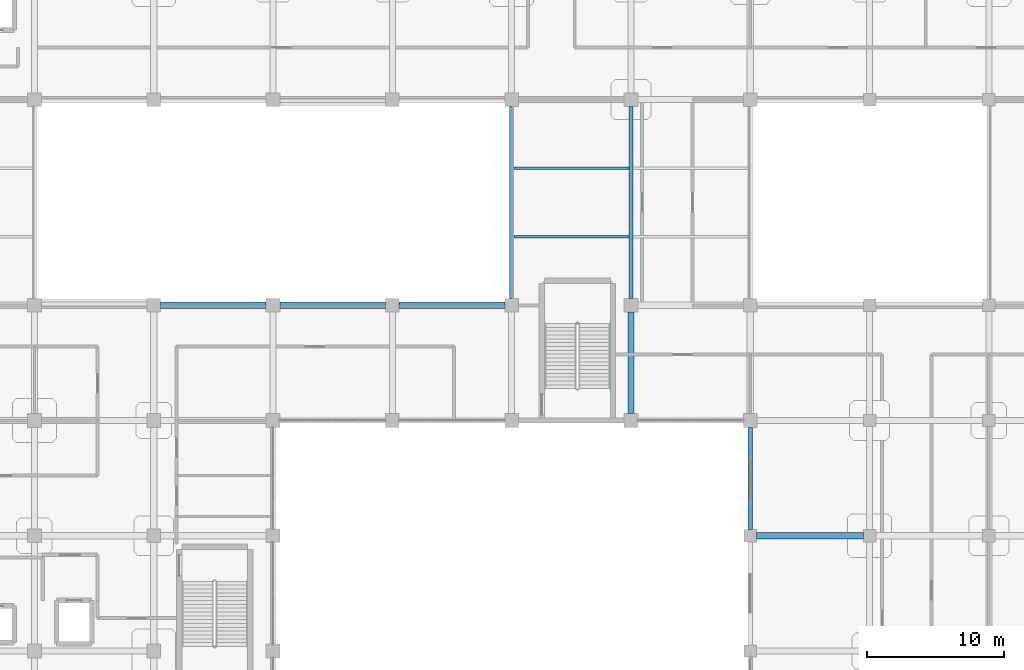
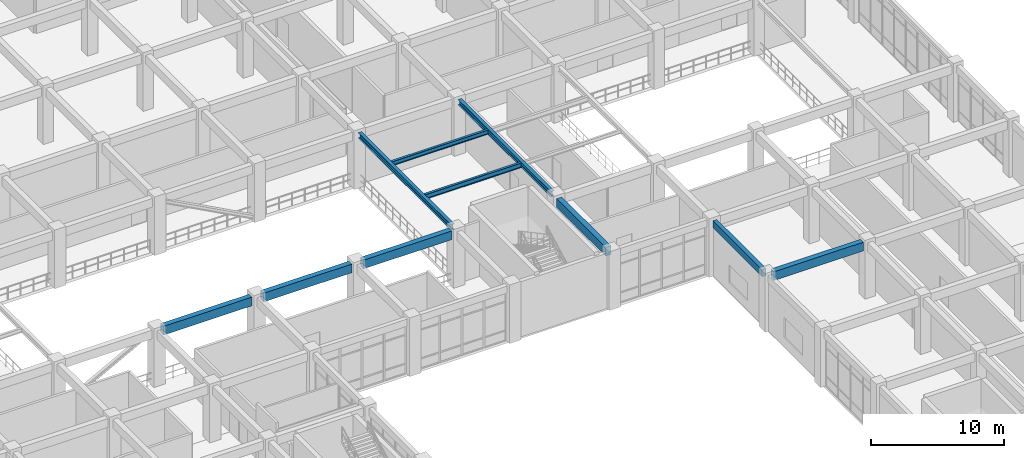
# One storey, part 35 of 114: 10 beams.
"""IFC4 building model written with IfcOpenShell, lengths in metres."""

from ifc_helpers import new_model, si_unit, derived_unit, direction, frame, origin, origin_2d, place, context, subcontext, project, spatial, rectangle, i_section, extrude, material, material_profile, profile_set, type_object, element, save


model = new_model("IFC4")

# Units and contexts
model_context = context("Model", 3, precision=1e-05, world=origin(), true_north=direction((0.0, 1.0)))
body_context = subcontext(model_context, "Body", "Model", "MODEL_VIEW")
ifc_project = project(units=[si_unit("LENGTHUNIT", "METRE"), si_unit("AREAUNIT", "SQUARE_METRE"), si_unit("VOLUMEUNIT", "CUBIC_METRE"), si_unit("PLANEANGLEUNIT", "RADIAN"), si_unit("MASSUNIT", "GRAM", prefix="KILO"), derived_unit("THERMALTRANSMITTANCEUNIT", [(si_unit("MASSUNIT", "GRAM", prefix="KILO"), 1), (si_unit("TIMEUNIT", "SECOND"), -3), (si_unit("THERMODYNAMICTEMPERATUREUNIT", "KELVIN"), -1)])], contexts=[model_context])

# Site, building, storey
site_placement = place(None, origin())
site = spatial("IfcSite", under=ifc_project, at=site_placement, CompositionType="ELEMENT")
building_placement = place(site_placement, origin())
building = spatial("IfcBuilding", under=site, at=building_placement, Name="Qinzheling Arcade Emporium", CompositionType="ELEMENT")
storey_placement = place(building_placement, frame((0.0, 0.0, 6.0)))
storey = spatial("IfcBuildingStorey", under=building, at=storey_placement, Name="L02", CompositionType="ELEMENT", Elevation=6.0)

# Beams
ifc_material_1 = material(Name="Structural steel Q355B", Category="steel")
ifc_material_profile_1 = material_profile(ifc_material_1, i_section(OverallWidth=0.300048828125, OverallDepth=0.488037109375, WebThickness=0.010986328125, FlangeThickness=0.01806640625, FilletRadius=0.02197265625, at=origin_2d()), Name="HM 488x300x11x18", Category="steel")
ifc_profile_set_1 = profile_set([ifc_material_profile_1], Name="Structural steel Q355B")
beam_type_1 = type_object("IfcBeamType", Name="Atrium Bridge Girder HM488 Q355B", PredefinedType="USERDEFINED", material=ifc_profile_set_1)
for number, where, z_axis, x_axis, name in (
    (1, (87.0, 50.89990234375, 4.8759765625), (0.0, 1.0, 0.0), (-1.0, 0.0, 0.0), "Beam BM-L02-Y-11-G"),
    (2, (95.699951171875, 50.89990234375, 4.8759765625), (0.0, 1.0, 0.0), (-1.0, 0.0, 0.0), "Beam BM-L02-Y-12-G"),
):
    element("IfcBeam", number, at=place(storey_placement, frame(where, z_axis=z_axis, x_axis=x_axis)), inside=storey, type_object=beam_type_1, Name=name, ObjectType="TRANSFER_GIRDER", PredefinedType="USERDEFINED", context=body_context, shape_type="SweptSolid", body=[
        extrude(i_section(OverallWidth=0.300048828125, OverallDepth=0.488037109375, WebThickness=0.010986328125, FlangeThickness=0.01806640625, FilletRadius=0.02197265625, at=origin_2d()), origin(), (0.0, 0.0, 1.0), 14.0),
    ])
ifc_material_2 = material(Name="Concrete C40", Category="concrete")
ifc_material_profile_2 = material_profile(ifc_material_2, rectangle(XDim=0.449951171875, YDim=0.800048828125, at=origin_2d()), Name="RC 450x800", Category="concrete")
ifc_profile_set_2 = profile_set([ifc_material_profile_2], Name="Concrete C40")
beam_type_2 = type_object("IfcBeamType", Name="RC Primary Frame Beam 450x800 C40", PredefinedType="BEAM", material=ifc_profile_set_2)
beam_1_placement = place(storey_placement, frame((104.85009765625, 33.60009765625, 4.719970703125), z_axis=(1.0, 0.0, 0.0), x_axis=(0.0, 1.0, 0.0)))
element("IfcBeam", 3, at=beam_1_placement, inside=storey, type_object=beam_type_2, Name="Beam BM-L02-X-E-13", PredefinedType="BEAM", context=body_context, shape_type="SweptSolid", body=[
    extrude(rectangle(XDim=0.449951171875, YDim=0.800048828125, at=origin_2d()), origin(), (0.0, 0.0, 1.0), 7.7998046875),
])
beam_2_placement = place(storey_placement, frame((61.39990234375, 50.39990234375, 4.719970703125), z_axis=(1.0, 0.0, 0.0), x_axis=(0.0, 1.0, 0.0)))
element("IfcBeam", 4, at=beam_2_placement, inside=storey, type_object=beam_type_2, Name="Beam BM-L02-X-G-8", PredefinedType="BEAM", context=body_context, shape_type="SweptSolid", body=[
    extrude(rectangle(XDim=0.449951171875, YDim=0.800048828125, at=origin_2d()), origin(), (0.0, 0.0, 1.0), 7.7001953125),
])
for number, where, z_axis, x_axis, name in (
    (5, (70.10009765625, 50.39990234375, 4.719970703125), (1.0, 0.0, 0.0), (0.0, 1.0, 0.0), "Beam BM-L02-X-G-9"),
    (6, (78.800048828125, 50.39990234375, 4.719970703125), (1.0, 0.0, 0.0), (0.0, 1.0, 0.0), "Beam BM-L02-X-G-10"),
):
    element("IfcBeam", number, at=place(storey_placement, frame(where, z_axis=z_axis, x_axis=x_axis)), inside=storey, type_object=beam_type_2, Name=name, PredefinedType="BEAM", context=body_context, shape_type="SweptSolid", body=[
        extrude(rectangle(XDim=0.449951171875, YDim=0.800048828125, at=origin_2d()), origin(), (0.0, 0.0, 1.0), 7.699951171875),
    ])
beam_3_placement = place(storey_placement, frame((95.699951171875, 42.5, 4.719970703125), z_axis=(0.0, 1.0, 0.0), x_axis=(-1.0, 0.0, 0.0)))
element("IfcBeam", 7, at=beam_3_placement, inside=storey, type_object=beam_type_2, Name="Beam BM-L02-Y-12-F", PredefinedType="BEAM", context=body_context, shape_type="SweptSolid", body=[
    extrude(rectangle(XDim=0.449951171875, YDim=0.800048828125, at=origin_2d()), origin(), (0.0, 0.0, 1.0), 7.39990234375),
])
ifc_material_profile_3 = material_profile(ifc_material_2, rectangle(XDim=0.35009765625, YDim=0.64990234375, at=origin_2d()), Name="RC 350x650", Category="concrete")
ifc_profile_set_3 = profile_set([ifc_material_profile_3], Name="Concrete C40")
beam_type_3 = type_object("IfcBeamType", Name="RC Spandrel Edge Beam 350x650 C40", PredefinedType="SPANDREL", material=ifc_profile_set_3)
beam_4_placement = place(storey_placement, frame((104.39990234375, 34.050048828125, 4.794921875), z_axis=(0.0, 1.0, 0.0), x_axis=(-1.0, 0.0, 0.0)))
element("IfcBeam", 8, at=beam_4_placement, inside=storey, type_object=beam_type_3, Name="Beam BM-L02-Y-13-E", PredefinedType="SPANDREL", context=body_context, shape_type="SweptSolid", body=[
    extrude(rectangle(XDim=0.35009765625, YDim=0.64990234375, at=origin_2d()), origin(), (0.0, 0.0, 1.0), 7.449951171875),
])
ifc_material_profile_4 = material_profile(ifc_material_1, i_section(OverallWidth=0.199951171875, OverallDepth=0.449951171875, WebThickness=0.009033203125, FlangeThickness=0.013916015625, FilletRadius=0.01611328125, at=origin_2d()), Name="HN 450x200x9x14", Category="steel")
ifc_profile_set_4 = profile_set([ifc_material_profile_4], Name="Structural steel Q355B")
beam_type_4 = type_object("IfcBeamType", Name="Secondary Floor Joist HN450 Q355B", PredefinedType="JOIST", material=ifc_profile_set_4)
beam_5_placement = place(storey_placement, frame((87.155029296875, 55.39990234375, 4.89501953125), z_axis=(1.0, 0.0, 0.0), x_axis=(0.0, 1.0, 0.0)))
element("IfcBeam", 9, at=beam_5_placement, inside=storey, type_object=beam_type_4, Name="Secondary Joist JST-L02-11-1", PredefinedType="JOIST", context=body_context, shape_type="SweptSolid", body=[
    extrude(i_section(OverallWidth=0.199951171875, OverallDepth=0.449951171875, WebThickness=0.009033203125, FlangeThickness=0.013916015625, FilletRadius=0.01611328125, at=origin_2d()), origin(), (0.0, 0.0, 1.0), 8.389892578125),
])
ifc_material_profile_5 = material_profile(ifc_material_1, i_section(OverallWidth=0.199951171875, OverallDepth=0.39990234375, WebThickness=0.008056640625, FlangeThickness=0.012939453125, FilletRadius=0.01611328125, at=origin_2d()), Name="HN 400x200x8x13", Category="steel")
ifc_profile_set_5 = profile_set([ifc_material_profile_5], Name="Structural steel Q355B")
beam_type_5 = type_object("IfcBeamType", Name="Storm Eave Outlooker Joist HN400 Q355B", PredefinedType="JOIST", material=ifc_profile_set_5)
beam_6_placement = place(storey_placement, frame((87.155029296875, 60.39990234375, 4.919921875), z_axis=(1.0, 0.0, 0.0), x_axis=(0.0, 1.0, 0.0)))
element("IfcBeam", 10, at=beam_6_placement, inside=storey, type_object=beam_type_5, Name="Secondary Joist JST-L02-11-2", PredefinedType="JOIST", context=body_context, shape_type="SweptSolid", body=[
    extrude(i_section(OverallWidth=0.199951171875, OverallDepth=0.39990234375, WebThickness=0.008056640625, FlangeThickness=0.012939453125, FilletRadius=0.01611328125, at=origin_2d()), origin(), (0.0, 0.0, 1.0), 8.389892578125),
])

save(model, "model.ifc")
